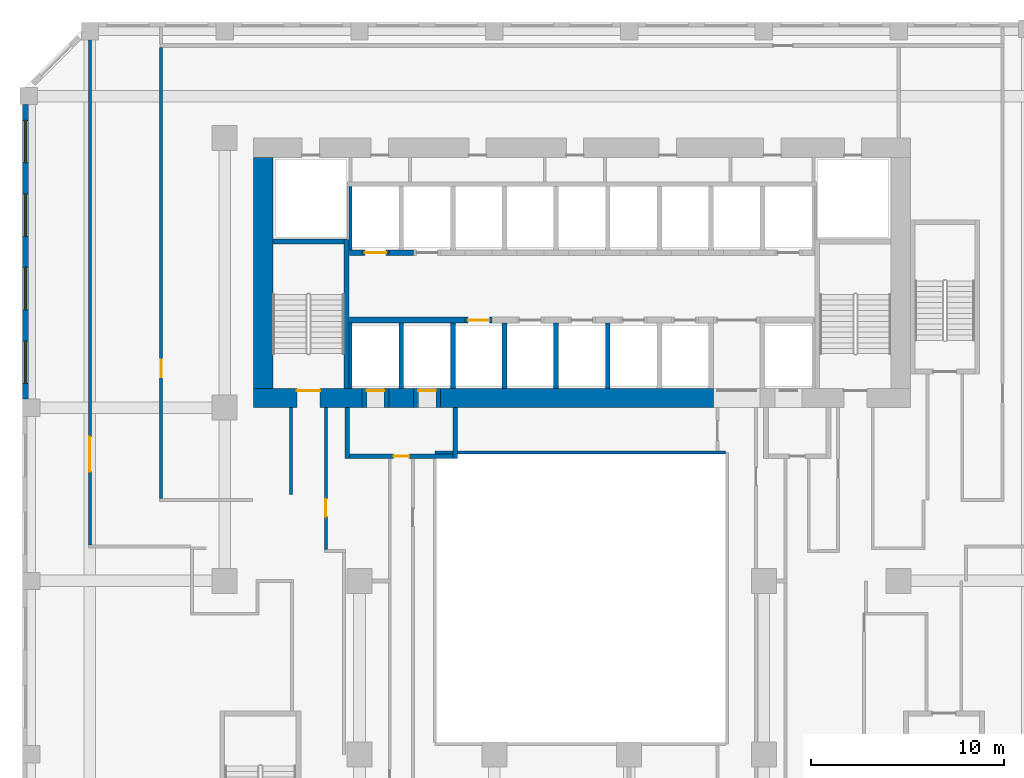
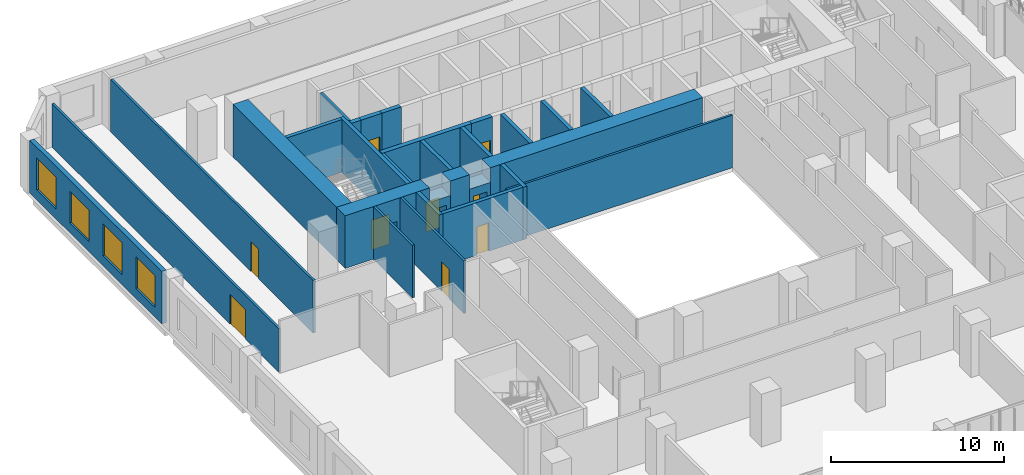
# One storey, part 12 of 25: 29 walls, 9 doors, 4 windows, 13 openings.
"""IFC4 building model written with IfcOpenShell, lengths in metres."""

from ifc_helpers import new_model, si_unit, direction, frame, frame_2d, origin, place, context, subcontext, project, spatial, rectangle, extrude, source, transform, mapped, material, layer, layer_set, type_object, element, fill, save


model = new_model("IFC4")

# Units and contexts
model_context = context("Model", 3, precision=1e-05, world=origin(), true_north=direction((0.0, 1.0)))
body_context = subcontext(model_context, "Body", "Model", "MODEL_VIEW")
ifc_project = project(units=[si_unit("LENGTHUNIT", "METRE"), si_unit("AREAUNIT", "SQUARE_METRE"), si_unit("VOLUMEUNIT", "CUBIC_METRE"), si_unit("PLANEANGLEUNIT", "RADIAN"), si_unit("MASSUNIT", "GRAM", prefix="KILO")], contexts=[model_context])

# Site, building, storey
site_placement = place(None, origin())
site = spatial("IfcSite", under=ifc_project, at=site_placement, CompositionType="ELEMENT")
building_placement = place(site_placement, origin())
building = spatial("IfcBuilding", under=site, at=building_placement, Name="Kilnfold Tower and Market Hall", CompositionType="ELEMENT")
storey_placement = place(building_placement, frame((0.0, 0.0, 39.0)))
storey = spatial("IfcBuildingStorey", under=building, at=storey_placement, Name="L08", CompositionType="ELEMENT", Elevation=39.0)

# Wall
ifc_material_1 = material(Name="Fire-resisting glazed screen")
ifc_layer_1 = layer(ifc_material_1, 0.14990234375)
ifc_layer_set_1 = layer_set([ifc_layer_1], Name="Fire-resisting glazed screen")
wall_type_1 = type_object("IfcWallType", Name="WALL ATRIUM 150", PredefinedType="PARTITIONING", material=ifc_layer_set_1)
wall_1_placement = place(storey_placement, frame((-6.574951171875, 5.675048828125, 0.0), z_axis=(0.0, 0.0, 1.0), x_axis=(1.0, 0.0, 0.0)))
element("IfcWall", 1, at=wall_1_placement, inside=storey, type_object=wall_type_1, Name="Partition LY08.70", PredefinedType="PARTITIONING", context=body_context, shape_type="SweptSolid", body=[
    extrude(rectangle(XDim=15.074951171875, YDim=0.14990234375, at=frame_2d((7.53759765625, 0.0))), origin(), (0.0, 0.0, 1.0), 3.719970703125),
])

# Wall, opening, door
ifc_material_2 = material(Name="Gypsum board on steel studs", Category="steel")
ifc_layer_2 = layer(ifc_material_2, 0.14990234375)
ifc_layer_set_2 = layer_set([ifc_layer_2], Name="Gypsum board on steel studs")
wall_type_2 = type_object("IfcWallType", Name="WALL CORRIDOR 150", PredefinedType="PARTITIONING", material=ifc_layer_set_2)
wall_2_placement = place(storey_placement, frame((-20.800048828125, 3.27490234375, 0.0), z_axis=(0.0, 0.0, 1.0), x_axis=(0.0, 1.0, 0.0)))
wall_2 = element("IfcWall", 2, at=wall_2_placement, inside=storey, type_object=wall_type_2, Name="Partition LY08.1", PredefinedType="PARTITIONING", context=body_context, shape_type="SweptSolid", body=[
    extrude(rectangle(XDim=23.43505859375, YDim=0.14990234375, at=frame_2d((11.717529296875, 0.0))), origin(), (0.0, 0.0, 1.0), 3.719970703125),
])
opening_1_placement = place(wall_2_placement, frame((6.31005859375, 0.0, 0.0)))
opening_1 = element("IfcOpeningElement", 3, at=opening_1_placement, cuts=wall_2, Name="Opening D3", PredefinedType="OPENING", context=body_context, shape_type="SweptSolid", body=[
    extrude(rectangle(XDim=0.89990234375, YDim=2.10009765625, at=frame_2d((0.449951171875, 1.050048828125))), frame((0.0, 0.0849609375, 0.0), z_axis=(0.0, -1.0, 0.0), x_axis=(1.0, 0.0, 0.0)), (0.0, 0.0, 1.0), 0.169921875),
])
ifc_material_3 = material(Name="Timber veneer door leaf in steel frame", Category="steel")
door_type_1 = type_object("IfcDoorType", Name="DOOR WC 900 X2100", OperationType="NOTDEFINED", PredefinedType="DOOR", material=ifc_material_3)
door_1_placement = place(opening_1_placement, origin())
door_1 = element("IfcDoor", 4, at=door_1_placement, inside=storey, type_object=door_type_1, Name="Door D3", OperationType="SINGLE_SWING_RIGHT", OverallHeight=2.10009765625, OverallWidth=0.89990234375, PredefinedType="DOOR", context=body_context, shape_type="SweptSolid", body=[
    extrude(rectangle(XDim=0.89990234375, YDim=2.10009765625, at=frame_2d((0.449951171875, 1.050048828125))), frame((0.0, 0.02490234375, 0.0), z_axis=(0.0, -1.0, 0.0), x_axis=(1.0, 0.0, 0.0)), (0.0, 0.0, 1.0), 0.050048828125),
])
fill(opening_1, door_1)

# Wall
wall_3_placement = place(storey_placement, frame((-14.050048828125, 8.0, 0.0), z_axis=(0.0, 0.0, 1.0), x_axis=(0.0, -1.0, 0.0)))
element("IfcWall", 5, at=wall_3_placement, inside=storey, type_object=wall_type_2, Name="Partition LY08.3", PredefinedType="PARTITIONING", context=body_context, shape_type="SweptSolid", body=[
    extrude(rectangle(XDim=4.510009765625, YDim=0.14990234375, at=frame_2d((2.2548828125, 0.0))), origin(), (0.0, 0.0, 1.0), 3.719970703125),
])

# Wall, opening, door
wall_4_placement = place(storey_placement, frame((-12.25, 0.625, 0.0), z_axis=(0.0, 0.0, 1.0), x_axis=(0.0, 1.0, 0.0)))
wall_4 = element("IfcWall", 6, at=wall_4_placement, inside=storey, type_object=wall_type_2, Name="Partition LY08.4", PredefinedType="PARTITIONING", context=body_context, shape_type="SweptSolid", body=[
    extrude(rectangle(XDim=7.375, YDim=0.14990234375, at=frame_2d((3.6875, 0.0))), origin(), (0.0, 0.0, 1.0), 3.719970703125),
])
opening_2_placement = place(wall_4_placement, frame((1.718994140625, 0.0, 0.0)))
opening_2 = element("IfcOpeningElement", 7, at=opening_2_placement, cuts=wall_4, Name="Opening D3", PredefinedType="OPENING", context=body_context, shape_type="SweptSolid", body=[
    extrude(rectangle(XDim=0.89990234375, YDim=2.10009765625, at=frame_2d((0.449951171875, 1.050048828125))), frame((0.0, 0.0849609375, 0.0), z_axis=(0.0, -1.0, 0.0), x_axis=(1.0, 0.0, 0.0)), (0.0, 0.0, 1.0), 0.169921875),
])
door_2_placement = place(opening_2_placement, origin())
door_2 = element("IfcDoor", 8, at=door_2_placement, inside=storey, type_object=door_type_1, Name="Door D3", OperationType="SINGLE_SWING_RIGHT", OverallHeight=2.10009765625, OverallWidth=0.89990234375, PredefinedType="DOOR", context=body_context, shape_type="SweptSolid", body=[
    extrude(rectangle(XDim=0.89990234375, YDim=2.10009765625, at=frame_2d((0.449951171875, 1.050048828125))), frame((0.0, 0.02490234375, 0.0), z_axis=(0.0, -1.0, 0.0), x_axis=(1.0, 0.0, 0.0)), (0.0, 0.0, 1.0), 0.050048828125),
])
fill(opening_2, door_2)

wall_5_placement = place(storey_placement, frame((-24.5, 27.10009765625, 0.0), z_axis=(0.0, 0.0, 1.0), x_axis=(0.0, -1.0, 0.0)))
wall_5 = element("IfcWall", 9, at=wall_5_placement, inside=storey, type_object=wall_type_2, Name="Partition LY08.39", PredefinedType="PARTITIONING", context=body_context, shape_type="SweptSolid", body=[
    extrude(rectangle(XDim=26.22509765625, YDim=0.14990234375, at=frame_2d((13.112548828125, 0.0))), origin(), (0.0, 0.0, 1.0), 3.070068359375),
])
opening_3_placement = place(wall_5_placement, frame((20.62109375, 0.0, 0.0)))
opening_3 = element("IfcOpeningElement", 10, at=opening_3_placement, cuts=wall_5, Name="Opening D5", PredefinedType="OPENING", context=body_context, shape_type="SweptSolid", body=[
    extrude(rectangle(XDim=1.800048828125, YDim=2.10009765625, at=frame_2d((0.89990234375, 1.050048828125))), frame((0.0, 0.0849609375, 0.0), z_axis=(0.0, -1.0, 0.0), x_axis=(1.0, 0.0, 0.0)), (0.0, 0.0, 1.0), 0.169921875),
])
ifc_material_4 = material(Name="Timber veneer door leaf in steel frame", Category="steel")
door_type_2 = type_object("IfcDoorType", Name="DOOR DOUBLE 1800 X2100", OperationType="NOTDEFINED", PredefinedType="DOOR", material=ifc_material_4)
door_3_placement = place(opening_3_placement, origin())
door_3 = element("IfcDoor", 11, at=door_3_placement, inside=storey, type_object=door_type_2, Name="Door D5", OperationType="DOUBLE_DOOR_SINGLE_SWING", OverallHeight=2.10009765625, OverallWidth=1.800048828125, PredefinedType="DOOR", context=body_context, shape_type="SweptSolid", body=[
    extrude(rectangle(XDim=1.800048828125, YDim=2.10009765625, at=frame_2d((0.89990234375, 1.050048828125))), frame((0.0, 0.02490234375, 0.0), z_axis=(0.0, -1.0, 0.0), x_axis=(1.0, 0.0, 0.0)), (0.0, 0.0, 1.0), 0.050048828125),
])
fill(opening_3, door_3)

ifc_material_5 = material(Name="Concrete C80", Category="concrete")
ifc_layer_3 = layer(ifc_material_5, 1.0)
ifc_layer_set_3 = layer_set([ifc_layer_3], Name="Concrete C80")
wall_type_3 = type_object("IfcWallType", Name="CORE WALL 1000 C80", PredefinedType="SHEAR", material=ifc_layer_set_3)
shared_shape_1 = source(origin(), body_context, "Body", "SweptSolid", [
    extrude(rectangle(XDim=5.6298828125, YDim=1.0, at=frame_2d((2.81494140625, 0.0))), origin(), (0.0, 0.0, 1.0), 3.719970703125),
])
wall_6_placement = place(storey_placement, frame((-16.0, 8.5, 0.0), z_axis=(0.0, 0.0, 1.0), x_axis=(1.0, 0.0, 0.0)))
wall_6 = element("IfcWall", 12, at=wall_6_placement, inside=storey, type_object=wall_type_3, Name="Core outer wall south", PredefinedType="SHEAR", context=body_context, shape_type="MappedRepresentation", body=[
    mapped(shared_shape_1, transform((0.0, 0.0, 0.0))),
])
opening_4_placement = place(wall_6_placement, frame((2.25, 0.0, 0.0)))
opening_4 = element("IfcOpeningElement", 13, at=opening_4_placement, cuts=wall_6, Name="Opening SD1", PredefinedType="OPENING", context=body_context, shape_type="SweptSolid", body=[
    extrude(rectangle(XDim=1.199951171875, YDim=2.10009765625, at=frame_2d((0.60009765625, 1.050048828125))), frame((0.0, 0.510009765625, 0.0), z_axis=(0.0, -1.0, 0.0), x_axis=(1.0, 0.0, 0.0)), (0.0, 0.0, 1.0), 1.02001953125),
])
ifc_material_6 = material(Name="Steel door set with fire-resisting leaf", Category="steel")
door_type_3 = type_object("IfcDoorType", Name="STAIR FLOOR DOOR 1200X2100", OperationType="NOTDEFINED", PredefinedType="DOOR", material=ifc_material_6)
door_4_placement = place(opening_4_placement, origin())
door_4 = element("IfcDoor", 14, at=door_4_placement, inside=storey, type_object=door_type_3, Name="Exit stair ST1 door", OperationType="DOUBLE_DOOR_SINGLE_SWING", OverallHeight=2.10009765625, OverallWidth=1.199951171875, PredefinedType="DOOR", context=body_context, shape_type="SweptSolid", body=[
    extrude(rectangle(XDim=1.199951171875, YDim=2.10009765625, at=frame_2d((0.60009765625, 1.050048828125))), frame((0.0, 0.40478515625, 0.0), z_axis=(0.0, -1.0, 0.0), x_axis=(1.0, 0.0, 0.0)), (0.0, 0.0, 1.0), 0.050048828125),
])
fill(opening_4, door_4)

# Walls
shared_shape_2 = source(origin(), body_context, "Body", "SweptSolid", [
    extrude(rectangle(XDim=1.280029296875, YDim=1.0, at=frame_2d((0.64013671875, 0.0))), origin(), (0.0, 0.0, 1.0), 3.719970703125),
])
wall_7_placement = place(storey_placement, frame((-8.969970703125, 8.5, 0.0), z_axis=(0.0, 0.0, 1.0), x_axis=(1.0, 0.0, 0.0)))
element("IfcWall", 15, at=wall_7_placement, inside=storey, type_object=wall_type_3, Name="Core outer wall south", PredefinedType="SHEAR", context=body_context, shape_type="MappedRepresentation", body=[
    mapped(shared_shape_2, transform((0.0, 0.0, 0.0))),
])
shared_shape_3 = source(origin(), body_context, "Body", "SweptSolid", [
    extrude(rectangle(XDim=14.179931640625, YDim=1.0, at=frame_2d((7.08984375, 0.0))), origin(), (0.0, 0.0, 1.0), 3.719970703125),
])
wall_8_placement = place(storey_placement, frame((-6.2900390625, 8.5, 0.0), z_axis=(0.0, 0.0, 1.0), x_axis=(1.0, 0.0, 0.0)))
element("IfcWall", 16, at=wall_8_placement, inside=storey, type_object=wall_type_3, Name="Core outer wall south", PredefinedType="SHEAR", context=body_context, shape_type="MappedRepresentation", body=[
    mapped(shared_shape_3, transform((0.0, 0.0, 0.0))),
])
shared_shape_4 = source(origin(), body_context, "Body", "SweptSolid", [
    extrude(rectangle(XDim=12.0, YDim=1.0, at=frame_2d((6.0, 0.0))), origin(), (0.0, 0.0, 1.0), 3.719970703125),
])
wall_9_placement = place(storey_placement, frame((-15.5, 9.0, 0.0), z_axis=(0.0, 0.0, 1.0), x_axis=(0.0, 1.0, 0.0)))
element("IfcWall", 17, at=wall_9_placement, inside=storey, type_object=wall_type_3, Name="Core outer wall west", PredefinedType="SHEAR", context=body_context, shape_type="MappedRepresentation", body=[
    mapped(shared_shape_4, transform((0.0, 0.0, 0.0))),
])
ifc_material_7 = material(Name="Concrete C80", Category="concrete")
ifc_layer_4 = layer(ifc_material_7, 0.25)
ifc_layer_set_4 = layer_set([ifc_layer_4], Name="Concrete C80")
wall_type_4 = type_object("IfcWallType", Name="CORE WALL 250 C80", PredefinedType="SHEAR", material=ifc_layer_set_4)
shared_shape_5 = source(origin(), body_context, "Body", "SweptSolid", [
    extrude(rectangle(XDim=7.75, YDim=0.25, at=frame_2d((3.875, 0.0))), origin(), (0.0, 0.0, 1.0), 3.719970703125),
])
wall_10_placement = place(storey_placement, frame((-11.175048828125, 9.0, 0.0), z_axis=(0.0, 0.0, 1.0), x_axis=(0.0, 1.0, 0.0)))
element("IfcWall", 18, at=wall_10_placement, inside=storey, type_object=wall_type_4, Name="Stair enclosure ST1", PredefinedType="SHEAR", context=body_context, shape_type="MappedRepresentation", body=[
    mapped(shared_shape_5, transform((0.0, 0.0, 0.0))),
])
shared_shape_6 = source(origin(), body_context, "Body", "SweptSolid", [
    extrude(rectangle(XDim=3.699951171875, YDim=0.25, at=frame_2d((1.85009765625, 0.0))), origin(), (0.0, 0.0, 1.0), 3.719970703125),
])
wall_11_placement = place(storey_placement, frame((-15.0, 16.625, 0.0), z_axis=(0.0, 0.0, 1.0), x_axis=(1.0, 0.0, 0.0)))
element("IfcWall", 19, at=wall_11_placement, inside=storey, type_object=wall_type_4, Name="Stair enclosure ST1", PredefinedType="SHEAR", context=body_context, shape_type="MappedRepresentation", body=[
    mapped(shared_shape_6, transform((0.0, 0.0, 0.0))),
])
ifc_material_8 = material(Name="Concrete C80", Category="concrete")
ifc_layer_5 = layer(ifc_material_8, 0.300048828125)
ifc_layer_set_5 = layer_set([ifc_layer_5], Name="Concrete C80")
wall_type_5 = type_object("IfcWallType", Name="CORE WALL 300 C80", PredefinedType="SHEAR", material=ifc_layer_set_5)
shared_shape_7 = source(origin(), body_context, "Body", "SweptSolid", [
    extrude(rectangle(XDim=6.0, YDim=0.300048828125, at=frame_2d((3.0, 0.0))), origin(), (0.0, 0.0, 1.0), 3.719970703125),
])
wall_12_placement = place(storey_placement, frame((-11.010009765625, 12.550048828125, 0.0), z_axis=(0.0, 0.0, 1.0), x_axis=(1.0, 0.0, 0.0)))
element("IfcWall", 20, at=wall_12_placement, inside=storey, type_object=wall_type_5, Name="Core spine wall", PredefinedType="SHEAR", context=body_context, shape_type="MappedRepresentation", body=[
    mapped(shared_shape_7, transform((0.0, 0.0, 0.0))),
])
shared_shape_8 = source(origin(), body_context, "Body", "SweptSolid", [
    extrude(rectangle(XDim=1.280029296875, YDim=0.300048828125, at=frame_2d((0.64013671875, 0.0))), origin(), (0.0, 0.0, 1.0), 3.719970703125),
])
wall_13_placement = place(storey_placement, frame((-8.969970703125, 16.050048828125, 0.0), z_axis=(0.0, 0.0, 1.0), x_axis=(1.0, 0.0, 0.0)))
element("IfcWall", 21, at=wall_13_placement, inside=storey, type_object=wall_type_5, Name="Core spine wall", PredefinedType="SHEAR", context=body_context, shape_type="MappedRepresentation", body=[
    mapped(shared_shape_8, transform((0.0, 0.0, 0.0))),
])
shared_shape_9 = source(origin(), body_context, "Body", "SweptSolid", [
    extrude(rectangle(XDim=0.639892578125, YDim=0.300048828125, at=frame_2d((0.31982421875, 0.0))), origin(), (0.0, 0.0, 1.0), 3.719970703125),
])
wall_14_placement = place(storey_placement, frame((-11.010009765625, 16.050048828125, 0.0), z_axis=(0.0, 0.0, 1.0), x_axis=(1.0, 0.0, 0.0)))
element("IfcWall", 22, at=wall_14_placement, inside=storey, type_object=wall_type_5, Name="Core spine wall", PredefinedType="SHEAR", context=body_context, shape_type="MappedRepresentation", body=[
    mapped(shared_shape_9, transform((0.0, 0.0, 0.0))),
])

# Wall, openings, windows
ifc_material_9 = material(Name="Precast concrete C50/60", Category="concrete")
ifc_layer_6 = layer(ifc_material_9, 0.300048828125)
ifc_layer_set_6 = layer_set([ifc_layer_6], Name="Precast concrete C50/60")
wall_type_6 = type_object("IfcWallType", Name="PRECAST WALL 300", PredefinedType="SOLIDWALL", material=ifc_layer_set_6)
shared_shape_10 = source(origin(), body_context, "Body", "SweptSolid", [
    extrude(rectangle(XDim=15.28173828125, YDim=0.300048828125, at=frame_2d((7.640869140625, 0.0))), origin(), (0.0, 0.0, 1.0), 3.719970703125),
])
wall_15_placement = place(storey_placement, frame((-27.85009765625, 23.731689453125, 0.0), z_axis=(0.0, 0.0, 1.0), x_axis=(0.0, -1.0, 0.0)))
wall_15 = element("IfcWall", 23, at=wall_15_placement, inside=storey, type_object=wall_type_6, Name="External wall L08 W", PredefinedType="SOLIDWALL", context=body_context, shape_type="MappedRepresentation", body=[
    mapped(shared_shape_10, transform((0.0, 0.0, 0.0))),
])
opening_5_placement = place(wall_15_placement, frame((0.810302734375, 0.0, 0.699951171875)))
opening_5 = element("IfcOpeningElement", 24, at=opening_5_placement, cuts=wall_15, Name="Opening W1", PredefinedType="OPENING", context=body_context, shape_type="SweptSolid", body=[
    extrude(rectangle(XDim=2.199951171875, YDim=2.25, at=frame_2d((1.10009765625, 1.125))), frame((0.0, 0.16015625, 0.0), z_axis=(0.0, -1.0, 0.0), x_axis=(1.0, 0.0, 0.0)), (0.0, 0.0, 1.0), 0.320068359375),
])
opening_6_placement = place(wall_15_placement, frame((4.630615234375, 0.0, 0.699951171875)))
opening_6 = element("IfcOpeningElement", 25, at=opening_6_placement, cuts=wall_15, Name="Opening W1", PredefinedType="OPENING", context=body_context, shape_type="SweptSolid", body=[
    extrude(rectangle(XDim=2.199951171875, YDim=2.25, at=frame_2d((1.10009765625, 1.125))), frame((0.0, 0.16015625, 0.0), z_axis=(0.0, -1.0, 0.0), x_axis=(1.0, 0.0, 0.0)), (0.0, 0.0, 1.0), 0.320068359375),
])
opening_7_placement = place(wall_15_placement, frame((8.451171875, 0.0, 0.699951171875)))
opening_7 = element("IfcOpeningElement", 26, at=opening_7_placement, cuts=wall_15, Name="Opening W1", PredefinedType="OPENING", context=body_context, shape_type="SweptSolid", body=[
    extrude(rectangle(XDim=2.199951171875, YDim=2.25, at=frame_2d((1.10009765625, 1.125))), frame((0.0, 0.16015625, 0.0), z_axis=(0.0, -1.0, 0.0), x_axis=(1.0, 0.0, 0.0)), (0.0, 0.0, 1.0), 0.320068359375),
])
opening_8_placement = place(wall_15_placement, frame((12.271484375, 0.0, 0.699951171875)))
opening_8 = element("IfcOpeningElement", 27, at=opening_8_placement, cuts=wall_15, Name="Opening W1", PredefinedType="OPENING", context=body_context, shape_type="SweptSolid", body=[
    extrude(rectangle(XDim=2.199951171875, YDim=2.25, at=frame_2d((1.10009765625, 1.125))), frame((0.0, 0.16015625, 0.0), z_axis=(0.0, -1.0, 0.0), x_axis=(1.0, 0.0, 0.0)), (0.0, 0.0, 1.0), 0.320068359375),
])
ifc_material_10 = material(Name="Aluminium frame and double glazing", Category="aluminium")
window_type = type_object("IfcWindowType", Name="WINDOW W1 2200X2250", PartitioningType="SINGLE_PANEL", PredefinedType="WINDOW", material=ifc_material_10)
window_1_placement = place(opening_5_placement, origin())
window_1 = element("IfcWindow", 28, at=window_1_placement, inside=storey, type_object=window_type, Name="Window W1 L08 W-1", OverallHeight=2.25, OverallWidth=2.199951171875, PartitioningType="SINGLE_PANEL", PredefinedType="WINDOW", context=body_context, shape_type="SweptSolid", body=[
    extrude(rectangle(XDim=2.199951171875, YDim=2.25, at=frame_2d((1.10009765625, 1.125))), frame((0.0, 0.030029296875, 0.0), z_axis=(0.0, -1.0, 0.0), x_axis=(1.0, 0.0, 0.0)), (0.0, 0.0, 1.0), 0.06005859375),
])
fill(opening_5, window_1)
window_2_placement = place(opening_6_placement, origin())
window_2 = element("IfcWindow", 29, at=window_2_placement, inside=storey, type_object=window_type, Name="Window W1 L08 W-2", OverallHeight=2.25, OverallWidth=2.199951171875, PartitioningType="SINGLE_PANEL", PredefinedType="WINDOW", context=body_context, shape_type="SweptSolid", body=[
    extrude(rectangle(XDim=2.199951171875, YDim=2.25, at=frame_2d((1.10009765625, 1.125))), frame((0.0, 0.030029296875, 0.0), z_axis=(0.0, -1.0, 0.0), x_axis=(1.0, 0.0, 0.0)), (0.0, 0.0, 1.0), 0.06005859375),
])
fill(opening_6, window_2)
window_3_placement = place(opening_7_placement, origin())
window_3 = element("IfcWindow", 30, at=window_3_placement, inside=storey, type_object=window_type, Name="Window W1 L08 W-3", OverallHeight=2.25, OverallWidth=2.199951171875, PartitioningType="SINGLE_PANEL", PredefinedType="WINDOW", context=body_context, shape_type="SweptSolid", body=[
    extrude(rectangle(XDim=2.199951171875, YDim=2.25, at=frame_2d((1.10009765625, 1.125))), frame((0.0, 0.030029296875, 0.0), z_axis=(0.0, -1.0, 0.0), x_axis=(1.0, 0.0, 0.0)), (0.0, 0.0, 1.0), 0.06005859375),
])
fill(opening_7, window_3)
window_4_placement = place(opening_8_placement, origin())
window_4 = element("IfcWindow", 31, at=window_4_placement, inside=storey, type_object=window_type, Name="Window W1 L08 W-4", OverallHeight=2.25, OverallWidth=2.199951171875, PartitioningType="SINGLE_PANEL", PredefinedType="WINDOW", context=body_context, shape_type="SweptSolid", body=[
    extrude(rectangle(XDim=2.199951171875, YDim=2.25, at=frame_2d((1.10009765625, 1.125))), frame((0.0, 0.030029296875, 0.0), z_axis=(0.0, -1.0, 0.0), x_axis=(1.0, 0.0, 0.0)), (0.0, 0.0, 1.0), 0.06005859375),
])
fill(opening_8, window_4)

# Wall, opening, door
ifc_material_11 = material(Name="Gypsum shaft wall system")
ifc_layer_7 = layer(ifc_material_11, 1.0)
ifc_layer_set_7 = layer_set([ifc_layer_7], Name="Gypsum shaft wall system")
wall_type_7 = type_object("IfcWallType", Name="LOBBY WALL 1000", PredefinedType="PARTITIONING", material=ifc_layer_set_7)
shared_shape_11 = source(origin(), body_context, "Body", "SweptSolid", [
    extrude(rectangle(XDim=1.400146484375, YDim=1.0, at=frame_2d((0.7001953125, 0.0))), origin(), (0.0, 0.0, 1.0), 2.699951171875),
])
wall_16_placement = place(storey_placement, frame((-10.3701171875, 8.5, 0.0), z_axis=(0.0, 0.0, 1.0), x_axis=(1.0, 0.0, 0.0)))
wall_16 = element("IfcWall", 32, at=wall_16_placement, inside=storey, type_object=wall_type_7, Name="Core wall infill", PredefinedType="PARTITIONING", context=body_context, shape_type="MappedRepresentation", body=[
    mapped(shared_shape_11, transform((0.0, 0.0, 0.0))),
])
opening_9_placement = place(wall_16_placement, frame((0.25, 0.0, 0.0)))
opening_9 = element("IfcOpeningElement", 33, at=opening_9_placement, cuts=wall_16, Name="Opening LD1", PredefinedType="OPENING", context=body_context, shape_type="SweptSolid", body=[
    extrude(rectangle(XDim=0.89990234375, YDim=2.10009765625, at=frame_2d((0.449951171875, 1.050048828125))), frame((0.0, 0.510009765625, 0.0), z_axis=(0.0, -1.0, 0.0), x_axis=(1.0, 0.0, 0.0)), (0.0, 0.0, 1.0), 1.02001953125),
])
ifc_material_12 = material(Name="Steel door set with fire-resisting leaf", Category="steel")
door_type_4 = type_object("IfcDoorType", Name="FIREFIGHTING LANDING DOOR 900X2100", OperationType="NOTDEFINED", PredefinedType="DOOR", material=ifc_material_12)
door_5_placement = place(opening_9_placement, origin())
door_5 = element("IfcDoor", 34, at=door_5_placement, inside=storey, type_object=door_type_4, Name="Landing door FF1", OperationType="SLIDING_TO_LEFT", OverallHeight=2.10009765625, OverallWidth=0.89990234375, PredefinedType="DOOR", context=body_context, shape_type="SweptSolid", body=[
    extrude(rectangle(XDim=0.89990234375, YDim=2.10009765625, at=frame_2d((0.449951171875, 1.050048828125))), frame((0.0, 0.40478515625, 0.0), z_axis=(0.0, -1.0, 0.0), x_axis=(1.0, 0.0, 0.0)), (0.0, 0.0, 1.0), 0.050048828125),
])
fill(opening_9, door_5)

shared_shape_12 = source(origin(), body_context, "Body", "SweptSolid", [
    extrude(rectangle(XDim=1.39990234375, YDim=1.0, at=frame_2d((0.699951171875, 0.0))), origin(), (0.0, 0.0, 1.0), 2.699951171875),
])
wall_17_placement = place(storey_placement, frame((-7.68994140625, 8.5, 0.0), z_axis=(0.0, 0.0, 1.0), x_axis=(1.0, 0.0, 0.0)))
wall_17 = element("IfcWall", 35, at=wall_17_placement, inside=storey, type_object=wall_type_7, Name="Core wall infill", PredefinedType="PARTITIONING", context=body_context, shape_type="MappedRepresentation", body=[
    mapped(shared_shape_12, transform((0.0, 0.0, 0.0))),
])
opening_10_placement = place(wall_17_placement, frame((0.25, 0.0, 0.0)))
opening_10 = element("IfcOpeningElement", 36, at=opening_10_placement, cuts=wall_17, Name="Opening LD1", PredefinedType="OPENING", context=body_context, shape_type="SweptSolid", body=[
    extrude(rectangle(XDim=0.89990234375, YDim=2.10009765625, at=frame_2d((0.449951171875, 1.050048828125))), frame((0.0, 0.510009765625, 0.0), z_axis=(0.0, -1.0, 0.0), x_axis=(1.0, 0.0, 0.0)), (0.0, 0.0, 1.0), 1.02001953125),
])
door_6_placement = place(opening_10_placement, origin())
door_6 = element("IfcDoor", 37, at=door_6_placement, inside=storey, type_object=door_type_4, Name="Landing door FF2", OperationType="SLIDING_TO_RIGHT", OverallHeight=2.10009765625, OverallWidth=0.89990234375, PredefinedType="DOOR", context=body_context, shape_type="SweptSolid", body=[
    extrude(rectangle(XDim=0.89990234375, YDim=2.10009765625, at=frame_2d((0.449951171875, 1.050048828125))), frame((0.0, 0.40478515625, 0.0), z_axis=(0.0, -1.0, 0.0), x_axis=(1.0, 0.0, 0.0)), (0.0, 0.0, 1.0), 0.050048828125),
])
fill(opening_10, door_6)

ifc_material_13 = material(Name="Gypsum shaft wall system")
ifc_layer_8 = layer(ifc_material_13, 0.300048828125)
ifc_layer_set_8 = layer_set([ifc_layer_8], Name="Gypsum shaft wall system")
wall_type_8 = type_object("IfcWallType", Name="SHAFT WALL 300", PredefinedType="PARTITIONING", material=ifc_layer_set_8)
shared_shape_13 = source(origin(), body_context, "Body", "SweptSolid", [
    extrude(rectangle(XDim=1.39990234375, YDim=0.300048828125, at=frame_2d((0.699951171875, 0.0))), origin(), (0.0, 0.0, 1.0), 3.719970703125),
])
wall_18_placement = place(storey_placement, frame((-5.010009765625, 12.550048828125, 0.0), z_axis=(0.0, 0.0, 1.0), x_axis=(1.0, 0.0, 0.0)))
wall_18 = element("IfcWall", 38, at=wall_18_placement, inside=storey, type_object=wall_type_8, Name="Lift shaft front wall", PredefinedType="PARTITIONING", context=body_context, shape_type="MappedRepresentation", body=[
    mapped(shared_shape_13, transform((0.0, 0.0, 0.0))),
])
opening_11_placement = place(wall_18_placement, frame((0.14990234375, 0.0, 0.0)))
opening_11 = element("IfcOpeningElement", 39, at=opening_11_placement, cuts=wall_18, Name="Opening LD2", PredefinedType="OPENING", context=body_context, shape_type="SweptSolid", body=[
    extrude(rectangle(XDim=1.10009765625, YDim=2.10009765625, at=frame_2d((0.550048828125, 1.050048828125))), frame((0.0, 0.16015625, 0.0), z_axis=(0.0, -1.0, 0.0), x_axis=(1.0, 0.0, 0.0)), (0.0, 0.0, 1.0), 0.320068359375),
])
ifc_material_14 = material(Name="Steel door set with fire-resisting leaf", Category="steel")
door_type_5 = type_object("IfcDoorType", Name="LANDING DOOR 1100X2100", OperationType="NOTDEFINED", PredefinedType="DOOR", material=ifc_material_14)
door_7_placement = place(opening_11_placement, origin())
door_7 = element("IfcDoor", 40, at=door_7_placement, inside=storey, type_object=door_type_5, Name="Landing door LR1", OperationType="DOUBLE_DOOR_SLIDING", OverallHeight=2.10009765625, OverallWidth=1.10009765625, PredefinedType="DOOR", context=body_context, shape_type="SweptSolid", body=[
    extrude(rectangle(XDim=1.10009765625, YDim=2.10009765625, at=frame_2d((0.550048828125, 1.050048828125))), frame((0.0, 0.02490234375, 0.0), z_axis=(0.0, -1.0, 0.0), x_axis=(1.0, 0.0, 0.0)), (0.0, 0.0, 1.0), 0.050048828125),
])
fill(opening_11, door_7)

shared_shape_14 = source(origin(), body_context, "Body", "SweptSolid", [
    extrude(rectangle(XDim=1.400146484375, YDim=0.300048828125, at=frame_2d((0.7001953125, 0.0))), origin(), (0.0, 0.0, 1.0), 3.719970703125),
])
wall_19_placement = place(storey_placement, frame((-10.3701171875, 16.050048828125, 0.0), z_axis=(0.0, 0.0, 1.0), x_axis=(1.0, 0.0, 0.0)))
wall_19 = element("IfcWall", 41, at=wall_19_placement, inside=storey, type_object=wall_type_8, Name="Lift shaft front wall", PredefinedType="PARTITIONING", context=body_context, shape_type="MappedRepresentation", body=[
    mapped(shared_shape_14, transform((0.0, 0.0, 0.0))),
])
opening_12_placement = place(wall_19_placement, frame((0.14990234375, 0.0, 0.0)))
opening_12 = element("IfcOpeningElement", 42, at=opening_12_placement, cuts=wall_19, Name="Opening LD2", PredefinedType="OPENING", context=body_context, shape_type="SweptSolid", body=[
    extrude(rectangle(XDim=1.10009765625, YDim=2.10009765625, at=frame_2d((0.550048828125, 1.050048828125))), frame((0.0, 0.16015625, 0.0), z_axis=(0.0, -1.0, 0.0), x_axis=(1.0, 0.0, 0.0)), (0.0, 0.0, 1.0), 0.320068359375),
])
door_8_placement = place(opening_12_placement, origin())
door_8 = element("IfcDoor", 43, at=door_8_placement, inside=storey, type_object=door_type_5, Name="Landing door LR7", OperationType="DOUBLE_DOOR_SLIDING", OverallHeight=2.10009765625, OverallWidth=1.10009765625, PredefinedType="DOOR", context=body_context, shape_type="SweptSolid", body=[
    extrude(rectangle(XDim=1.10009765625, YDim=2.10009765625, at=frame_2d((0.550048828125, 1.050048828125))), frame((0.0, 0.02490234375, 0.0), z_axis=(0.0, -1.0, 0.0), x_axis=(1.0, 0.0, 0.0)), (0.0, 0.0, 1.0), 0.050048828125),
])
fill(opening_12, door_8)

# Walls
ifc_material_15 = material(Name="Gypsum shaft wall system")
ifc_layer_9 = layer(ifc_material_15, 0.25)
ifc_layer_set_9 = layer_set([ifc_layer_9], Name="Gypsum shaft wall system")
wall_type_9 = type_object("IfcWallType", Name="LOBBY WALL 250", PredefinedType="PARTITIONING", material=ifc_layer_set_9)
shared_shape_15 = source(origin(), body_context, "Body", "SweptSolid", [
    extrude(rectangle(XDim=2.64990234375, YDim=0.25, at=frame_2d((1.324951171875, 0.0))), origin(), (0.0, 0.0, 1.0), 3.719970703125),
])
for number, where, z_axis, x_axis, name in (
    (44, (-11.135009765625, 5.35009765625, 0.0), (0.0, 0.0, 1.0), (0.0, 1.0, 0.0), "Firefighting lobby wall"),
    (45, (-5.52490234375, 5.35009765625, 0.0), (0.0, 0.0, 1.0), (0.0, 1.0, 0.0), "Firefighting lobby wall"),
):
    element("IfcWall", number, at=place(storey_placement, frame(where, z_axis=z_axis, x_axis=x_axis)), inside=storey, type_object=wall_type_9, Name=name, PredefinedType="PARTITIONING", context=body_context, shape_type="MappedRepresentation", body=[
        mapped(shared_shape_15, transform((0.0, 0.0, 0.0))),
    ])

# Wall, opening, door
shared_shape_16 = source(origin(), body_context, "Body", "SweptSolid", [
    extrude(rectangle(XDim=5.360107421875, YDim=0.25, at=frame_2d((2.68017578125, 0.0))), origin(), (0.0, 0.0, 1.0), 3.719970703125),
])
wall_20_placement = place(storey_placement, frame((-11.010009765625, 5.47509765625, 0.0), z_axis=(0.0, 0.0, 1.0), x_axis=(1.0, 0.0, 0.0)))
wall_20 = element("IfcWall", 46, at=wall_20_placement, inside=storey, type_object=wall_type_9, Name="Firefighting lobby wall", PredefinedType="PARTITIONING", context=body_context, shape_type="MappedRepresentation", body=[
    mapped(shared_shape_16, transform((0.0, 0.0, 0.0))),
])
opening_13_placement = place(wall_20_placement, frame((2.280029296875, 0.0, 0.0)))
opening_13 = element("IfcOpeningElement", 47, at=opening_13_placement, cuts=wall_20, Name="Opening VD1", PredefinedType="OPENING", context=body_context, shape_type="SweptSolid", body=[
    extrude(rectangle(XDim=0.800048828125, YDim=2.0, at=frame_2d((0.39990234375, 1.0))), frame((0.0, 0.135009765625, 0.0), z_axis=(0.0, -1.0, 0.0), x_axis=(1.0, 0.0, 0.0)), (0.0, 0.0, 1.0), 0.27001953125),
])
ifc_material_16 = material(Name="Steel door set with fire-resisting leaf", Category="steel")
door_type_6 = type_object("IfcDoorType", Name="FIREFIGHTING LOBBY DOOR 800X2000", OperationType="NOTDEFINED", PredefinedType="DOOR", material=ifc_material_16)
door_9_placement = place(opening_13_placement, origin())
door_9 = element("IfcDoor", 48, at=door_9_placement, inside=storey, type_object=door_type_6, Name="Firefighting lobby door", OperationType="SINGLE_SWING_LEFT", OverallHeight=2.0, OverallWidth=0.800048828125, PredefinedType="DOOR", context=body_context, shape_type="SweptSolid", body=[
    extrude(rectangle(XDim=0.800048828125, YDim=2.0, at=frame_2d((0.39990234375, 1.0))), frame((0.0, 0.02490234375, 0.0), z_axis=(0.0, -1.0, 0.0), x_axis=(1.0, 0.0, 0.0)), (0.0, 0.0, 1.0), 0.050048828125),
])
fill(opening_13, door_9)

# Walls
ifc_material_17 = material(Name="Gypsum shaft wall system")
ifc_layer_10 = layer(ifc_material_17, 0.1650390625)
ifc_layer_set_10 = layer_set([ifc_layer_10], Name="Gypsum shaft wall system")
wall_type_10 = type_object("IfcWallType", Name="SHAFT WALL 165", PredefinedType="PARTITIONING", material=ifc_layer_set_10)
shared_shape_17 = source(origin(), body_context, "Body", "SweptSolid", [
    extrude(rectangle(XDim=3.275146484375, YDim=0.1650390625, at=frame_2d((1.6376953125, 0.0))), origin(), (0.0, 0.0, 1.0), 3.719970703125),
])
wall_21_placement = place(storey_placement, frame((-10.967529296875, 16.199951171875, 0.0), z_axis=(0.0, 0.0, 1.0), x_axis=(0.0, 1.0, 0.0)))
element("IfcWall", 49, at=wall_21_placement, inside=storey, type_object=wall_type_10, Name="Lift shaft wall", PredefinedType="PARTITIONING", context=body_context, shape_type="MappedRepresentation", body=[
    mapped(shared_shape_17, transform((0.0, 0.0, 0.0))),
])
ifc_material_18 = material(Name="Gypsum shaft wall system")
ifc_layer_11 = layer(ifc_material_18, 0.25)
ifc_layer_set_11 = layer_set([ifc_layer_11], Name="Gypsum shaft wall system")
wall_type_11 = type_object("IfcWallType", Name="SHAFT WALL 250", PredefinedType="PARTITIONING", material=ifc_layer_set_11)
shared_shape_18 = source(origin(), body_context, "Body", "SweptSolid", [
    extrude(rectangle(XDim=3.39990234375, YDim=0.25, at=frame_2d((1.699951171875, 0.0))), origin(), (0.0, 0.0, 1.0), 3.719970703125),
])
for number, where, z_axis, x_axis, name in (
    (50, (2.389892578125, 9.0, 0.0), (0.0, 0.0, 1.0), (0.0, 1.0, 0.0), "Lift shaft wall"),
    (51, (-0.2900390625, 9.0, 0.0), (0.0, 0.0, 1.0), (0.0, 1.0, 0.0), "Lift shaft wall"),
    (52, (-2.969970703125, 9.0, 0.0), (0.0, 0.0, 1.0), (0.0, 1.0, 0.0), "Lift shaft wall"),
    (53, (-5.64990234375, 9.0, 0.0), (0.0, 0.0, 1.0), (0.0, 1.0, 0.0), "Lift shaft wall"),
    (54, (-8.330078125, 9.0, 0.0), (0.0, 0.0, 1.0), (0.0, 1.0, 0.0), "Lift shaft wall"),
):
    element("IfcWall", number, at=place(storey_placement, frame(where, z_axis=z_axis, x_axis=x_axis)), inside=storey, type_object=wall_type_11, Name=name, PredefinedType="PARTITIONING", context=body_context, shape_type="MappedRepresentation", body=[
        mapped(shared_shape_18, transform((0.0, 0.0, 0.0))),
    ])
shared_shape_19 = source(origin(), body_context, "Body", "SweptSolid", [
    extrude(rectangle(XDim=3.39990234375, YDim=0.1650390625, at=frame_2d((1.699951171875, 0.0))), origin(), (0.0, 0.0, 1.0), 3.719970703125),
])
wall_22_placement = place(storey_placement, frame((-10.967529296875, 9.0, 0.0), z_axis=(0.0, 0.0, 1.0), x_axis=(0.0, 1.0, 0.0)))
element("IfcWall", 55, at=wall_22_placement, inside=storey, type_object=wall_type_10, Name="Lift shaft wall", PredefinedType="PARTITIONING", context=body_context, shape_type="MappedRepresentation", body=[
    mapped(shared_shape_19, transform((0.0, 0.0, 0.0))),
])

save(model, "model.ifc")
